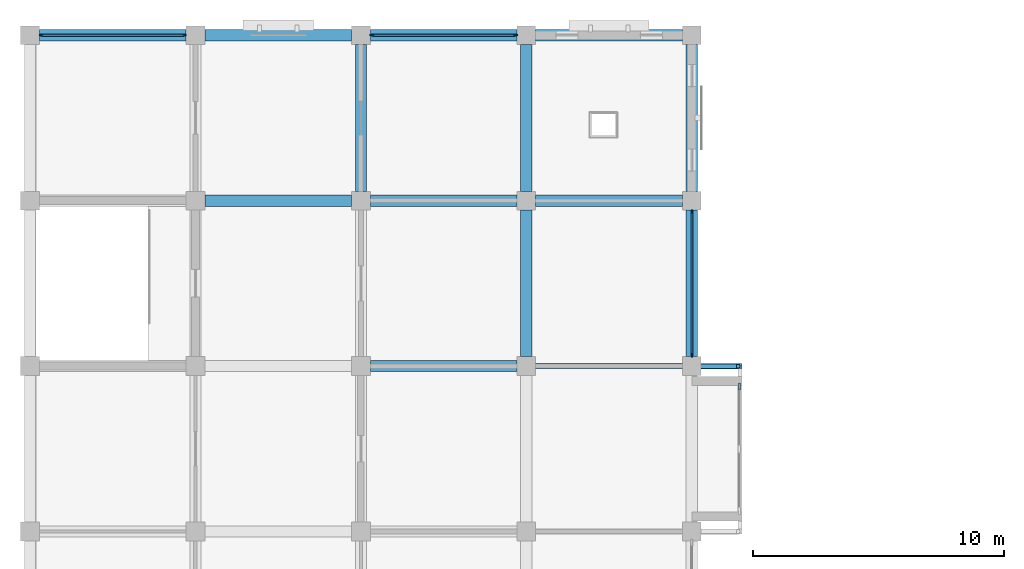
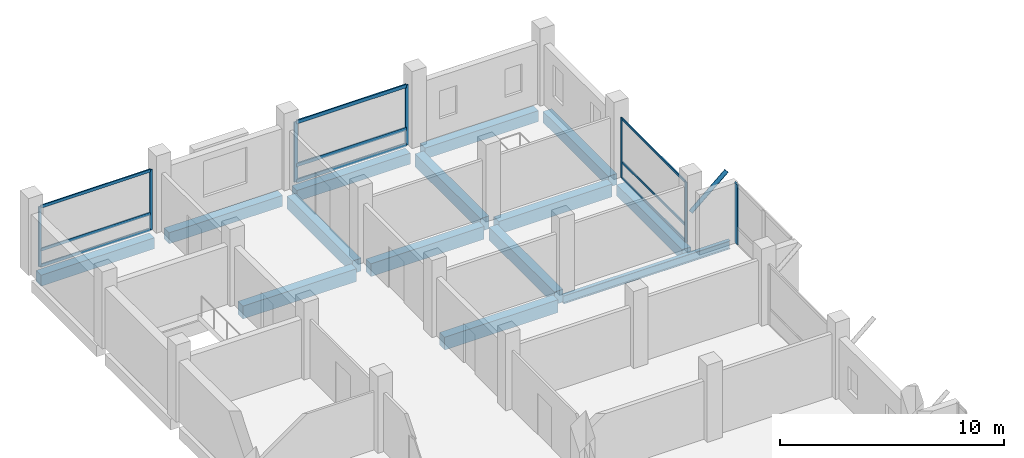
# One storey, part 5 of 14: 17 members, 14 beams, 4 elements without a shape of their own.
"""IFC4 building model written with IfcOpenShell, lengths in metres."""

from ifc_helpers import new_model, si_unit, direction, frame, origin, origin_2d, place, context, subcontext, project, spatial, rectangle, hollow_circle, i_section, extrude, material, material_profile, profile_set, type_object, element, aggregate, save


model = new_model("IFC4")

# Units and contexts
model_context = context("Model", 3, precision=1e-05, world=origin(), true_north=direction((0.0, 1.0)))
body_context = subcontext(model_context, "Body", "Model", "MODEL_VIEW")
ifc_project = project(units=[si_unit("LENGTHUNIT", "METRE"), si_unit("AREAUNIT", "SQUARE_METRE"), si_unit("VOLUMEUNIT", "CUBIC_METRE"), si_unit("PLANEANGLEUNIT", "RADIAN"), si_unit("MASSUNIT", "GRAM", prefix="KILO")], contexts=[model_context])

# Site, building, storey
site_placement = place(None, origin())
site = spatial("IfcSite", under=ifc_project, at=site_placement, CompositionType="ELEMENT")
building_placement = place(site_placement, origin())
building = spatial("IfcBuilding", under=site, at=building_placement, Name="Rusizi Kubbe Research Institute", CompositionType="ELEMENT")
storey_placement = place(building_placement, frame((0.0, 0.0, 31.199951171875)))
storey = spatial("IfcBuildingStorey", under=building, at=storey_placement, Name="L07", CompositionType="ELEMENT", Elevation=31.199951171875)

# Beams
ifc_material_1 = material(Name="Steel S355", Category="steel")
ifc_material_profile_1 = material_profile(ifc_material_1, i_section(OverallWidth=0.18994140625, OverallDepth=0.449951171875, WebThickness=0.009521484375, FlangeThickness=0.0146484375, at=origin_2d()), Name="IPE 450")
ifc_profile_set_1 = profile_set([ifc_material_profile_1], Name="Steel S355")
beam_type_1 = type_object("IfcBeamType", Name="BM-IPE450", PredefinedType="BEAM", material=ifc_profile_set_1)
beam_1_placement = place(storey_placement, frame((19.800048828125, 66.0, -0.554931640625), z_axis=(1.0, 0.0, 0.0), x_axis=(0.0, 1.0, 0.0)))
element("IfcBeam", 1, at=beam_1_placement, inside=storey, type_object=beam_type_1, Name="Cumba Back-Spanned Cantilever Beam L07-2N", PredefinedType="BEAM", context=body_context, shape_type="SweptSolid", body=[
    extrude(i_section(OverallWidth=0.18994140625, OverallDepth=0.449951171875, WebThickness=0.009521484375, FlangeThickness=0.0146484375, at=origin_2d()), origin(), (0.0, 0.0, 1.0), 8.599853515625),
])
ifc_material_2 = material(Name="Concrete C40/50", Category="concrete")
ifc_material_profile_2 = material_profile(ifc_material_2, rectangle(XDim=0.449951171875, YDim=0.60009765625, at=origin_2d()), Name="RC450x600")
ifc_profile_set_2 = profile_set([ifc_material_profile_2], Name="Concrete C40/50")
beam_type_2 = type_object("IfcBeamType", Name="BM-RC450x600", PredefinedType="SPANDREL", material=ifc_profile_set_2)
beam_2_placement = place(storey_placement, frame((0.375, 79.199951171875, -0.6298828125), z_axis=(1.0, 0.0, 0.0), x_axis=(0.0, 1.0, 0.0)))
element("IfcBeam", 2, at=beam_2_placement, inside=storey, type_object=beam_type_2, Name="Grid Beam H L07 (0,12)", PredefinedType="SPANDREL", context=body_context, shape_type="SweptSolid", body=[
    extrude(rectangle(XDim=0.449951171875, YDim=0.60009765625, at=origin_2d()), origin(), (0.0, 0.0, 1.0), 5.85009765625),
])
beam_3_placement = place(storey_placement, frame((6.97509765625, 79.199951171875, -0.6298828125), z_axis=(1.0, 0.0, 0.0), x_axis=(0.0, 1.0, 0.0)))
element("IfcBeam", 3, at=beam_3_placement, inside=storey, type_object=beam_type_2, Name="Grid Beam H L07 (1,12)", PredefinedType="SPANDREL", context=body_context, shape_type="SweptSolid", body=[
    extrude(rectangle(XDim=0.449951171875, YDim=0.60009765625, at=origin_2d()), origin(), (0.0, 0.0, 1.0), 5.849853515625),
])
beam_4_placement = place(storey_placement, frame((13.574951171875, 79.199951171875, -0.6298828125), z_axis=(1.0, 0.0, 0.0), x_axis=(0.0, 1.0, 0.0)))
element("IfcBeam", 4, at=beam_4_placement, inside=storey, type_object=beam_type_2, Name="Grid Beam H L07 (2,12)", PredefinedType="SPANDREL", context=body_context, shape_type="SweptSolid", body=[
    extrude(rectangle(XDim=0.449951171875, YDim=0.60009765625, at=origin_2d()), origin(), (0.0, 0.0, 1.0), 5.85009765625),
])
beam_5_placement = place(storey_placement, frame((20.175048828125, 79.199951171875, -0.6298828125), z_axis=(1.0, 0.0, 0.0), x_axis=(0.0, 1.0, 0.0)))
element("IfcBeam", 5, at=beam_5_placement, inside=storey, type_object=beam_type_2, Name="Grid Beam H L07 (3,12)", PredefinedType="SPANDREL", context=body_context, shape_type="SweptSolid", body=[
    extrude(rectangle(XDim=0.449951171875, YDim=0.60009765625, at=origin_2d()), origin(), (0.0, 0.0, 1.0), 5.849853515625),
])
beam_6_placement = place(storey_placement, frame((26.39990234375, 66.375, -0.6298828125), z_axis=(0.0, 1.0, 0.0), x_axis=(-1.0, 0.0, 0.0)))
element("IfcBeam", 6, at=beam_6_placement, inside=storey, type_object=beam_type_2, Name="Grid Beam V L07 (4,10)", PredefinedType="SPANDREL", context=body_context, shape_type="SweptSolid", body=[
    extrude(rectangle(XDim=0.449951171875, YDim=0.60009765625, at=origin_2d()), origin(), (0.0, 0.0, 1.0), 5.85009765625),
])
beam_7_placement = place(storey_placement, frame((26.39990234375, 72.97509765625, -0.6298828125), z_axis=(0.0, 1.0, 0.0), x_axis=(-1.0, 0.0, 0.0)))
element("IfcBeam", 7, at=beam_7_placement, inside=storey, type_object=beam_type_2, Name="Grid Beam V L07 (4,11)", PredefinedType="SPANDREL", context=body_context, shape_type="SweptSolid", body=[
    extrude(rectangle(XDim=0.449951171875, YDim=0.60009765625, at=origin_2d()), origin(), (0.0, 0.0, 1.0), 5.849853515625),
])
ifc_material_3 = material(Name="Concrete C40/50", Category="concrete")
ifc_material_profile_3 = material_profile(ifc_material_3, rectangle(XDim=0.449951171875, YDim=0.699951171875, at=origin_2d()), Name="RC450x700B")
ifc_profile_set_3 = profile_set([ifc_material_profile_3], Name="Concrete C40/50")
beam_type_3 = type_object("IfcBeamType", Name="BM-RC450x700", PredefinedType="BEAM", material=ifc_profile_set_3)
beam_8_placement = place(storey_placement, frame((6.97509765625, 72.60009765625, -0.679931640625), z_axis=(1.0, 0.0, 0.0), x_axis=(0.0, 1.0, 0.0)))
element("IfcBeam", 8, at=beam_8_placement, inside=storey, type_object=beam_type_3, Name="Grid Beam H L07 (1,11)", PredefinedType="BEAM", context=body_context, shape_type="SweptSolid", body=[
    extrude(rectangle(XDim=0.449951171875, YDim=0.699951171875, at=origin_2d()), origin(), (0.0, 0.0, 1.0), 5.849853515625),
])
for number, where, z_axis, x_axis, name in (
    (9, (13.574951171875, 66.0, -0.679931640625), (1.0, 0.0, 0.0), (0.0, 1.0, 0.0), "Grid Beam H L07 (2,10)"),
    (10, (13.574951171875, 72.60009765625, -0.679931640625), (1.0, 0.0, 0.0), (0.0, 1.0, 0.0), "Grid Beam H L07 (2,11)"),
):
    element("IfcBeam", number, at=place(storey_placement, frame(where, z_axis=z_axis, x_axis=x_axis)), inside=storey, type_object=beam_type_3, Name=name, PredefinedType="BEAM", context=body_context, shape_type="SweptSolid", body=[
        extrude(rectangle(XDim=0.449951171875, YDim=0.699951171875, at=origin_2d()), origin(), (0.0, 0.0, 1.0), 5.85009765625),
    ])
for number, where, z_axis, x_axis, name in (
    (11, (20.175048828125, 72.60009765625, -0.679931640625), (1.0, 0.0, 0.0), (0.0, 1.0, 0.0), "Grid Beam H L07 (3,11)"),
    (12, (13.199951171875, 72.97509765625, -0.679931640625), (0.0, 1.0, 0.0), (-1.0, 0.0, 0.0), "Grid Beam V L07 (2,11)"),
):
    element("IfcBeam", number, at=place(storey_placement, frame(where, z_axis=z_axis, x_axis=x_axis)), inside=storey, type_object=beam_type_3, Name=name, PredefinedType="BEAM", context=body_context, shape_type="SweptSolid", body=[
        extrude(rectangle(XDim=0.449951171875, YDim=0.699951171875, at=origin_2d()), origin(), (0.0, 0.0, 1.0), 5.849853515625),
    ])
beam_9_placement = place(storey_placement, frame((19.800048828125, 66.375, -0.679931640625), z_axis=(0.0, 1.0, 0.0), x_axis=(-1.0, 0.0, 0.0)))
element("IfcBeam", 13, at=beam_9_placement, inside=storey, type_object=beam_type_3, Name="Grid Beam V L07 (3,10)", PredefinedType="BEAM", context=body_context, shape_type="SweptSolid", body=[
    extrude(rectangle(XDim=0.449951171875, YDim=0.699951171875, at=origin_2d()), origin(), (0.0, 0.0, 1.0), 5.85009765625),
])
beam_10_placement = place(storey_placement, frame((19.800048828125, 72.97509765625, -0.679931640625), z_axis=(0.0, 1.0, 0.0), x_axis=(-1.0, 0.0, 0.0)))
element("IfcBeam", 14, at=beam_10_placement, inside=storey, type_object=beam_type_3, Name="Grid Beam V L07 (3,11)", PredefinedType="BEAM", context=body_context, shape_type="SweptSolid", body=[
    extrude(rectangle(XDim=0.449951171875, YDim=0.699951171875, at=origin_2d()), origin(), (0.0, 0.0, 1.0), 5.849853515625),
])

# Member
ifc_material_4 = material(Name="Steel S355", Category="steel")
ifc_material_profile_4 = material_profile(ifc_material_4, hollow_circle(Radius=0.109619140625, WallThickness=0.008056640625, at=origin_2d()), Name="CHS 219.1x8.0")
ifc_profile_set_4 = profile_set([ifc_material_profile_4], Name="Steel S355")
member_type_1 = type_object("IfcMemberType", Name="MB-CHS219", PredefinedType="BRACE", material=ifc_profile_set_4)
member_1_placement = place(storey_placement, frame((26.39990234375, 66.0, 1.880126953125), z_axis=(0.756409887843, 0.0, 0.654097914362), x_axis=(0.0, 1.0, 0.0)))
element("IfcMember", 15, at=member_1_placement, inside=storey, type_object=member_type_1, Name="Cumba Diagonal Corbel Brace L08-5N", PredefinedType="BRACE", context=body_context, shape_type="SweptSolid", body=[
    extrude(hollow_circle(Radius=0.109619140625, WallThickness=0.008056640625, at=origin_2d()), origin(), (0.0, 0.0, 1.0), 2.44580078125),
])

# Curtain wall, members
ifc_material_5 = material(Name="Thermally Broken Aluminium and Low-E Glazing", Category="aluminium")
curtain_wall_type_1 = type_object("IfcCurtainWallType", Name="CW-10", PredefinedType="NOTDEFINED", material=ifc_material_5)
curtain_wall_1_placement = place(storey_placement, origin())
curtain_wall_1 = element("IfcCurtainWall", 16, at=curtain_wall_1_placement, inside=storey, type_object=curtain_wall_type_1, Name="Unitised Facade Curtain Wall CW-L07-H-00-12", PredefinedType="NOTDEFINED")
ifc_material_6 = material(Name="Aluminium Alloy 6063-T6", Category="aluminium")
ifc_material_profile_5 = material_profile(ifc_material_6, rectangle(XDim=0.06005859375, YDim=0.14990234375, at=origin_2d()), Name="ALU-M 60x150")
ifc_profile_set_5 = profile_set([ifc_material_profile_5], Name="Aluminium Alloy 6063-T6")
member_type_2 = type_object("IfcMemberType", Name="ML-01", PredefinedType="MULLION", material=ifc_profile_set_5)
member_2_placement = place(storey_placement, frame((0.43505859375, 79.199951171875, 0.0), z_axis=(0.0, 0.0, 1.0), x_axis=(0.0, 1.0, 0.0)))
member_2 = element("IfcMember", 17, at=member_2_placement, type_object=member_type_2, Name="CW-10 mullion 1", PredefinedType="MULLION", context=body_context, shape_type="SweptSolid", body=[
    extrude(rectangle(XDim=0.06005859375, YDim=0.14990234375, at=origin_2d()), origin(), (0.0, 0.0, 1.0), 3.280029296875),
])
member_3_placement = place(storey_placement, frame((6.1650390625, 79.199951171875, 0.0), z_axis=(0.0, 0.0, 1.0), x_axis=(0.0, 1.0, 0.0)))
member_3 = element("IfcMember", 18, at=member_3_placement, type_object=member_type_2, Name="CW-10 mullion 2", PredefinedType="MULLION", context=body_context, shape_type="SweptSolid", body=[
    extrude(rectangle(XDim=0.06005859375, YDim=0.14990234375, at=origin_2d()), origin(), (0.0, 0.0, 1.0), 3.280029296875),
])

curtain_wall_2_placement = place(storey_placement, origin())
curtain_wall_2 = element("IfcCurtainWall", 19, at=curtain_wall_2_placement, inside=storey, type_object=curtain_wall_type_1, Name="Unitised Facade Curtain Wall CW-L07-V-04-10", PredefinedType="NOTDEFINED")
member_4_placement = place(storey_placement, frame((26.39990234375, 66.43505859375, 0.0), z_axis=(0.0, 0.0, 1.0), x_axis=(-1.0, 0.0, 0.0)))
member_4 = element("IfcMember", 20, at=member_4_placement, type_object=member_type_2, Name="CW-10 mullion 1", PredefinedType="MULLION", context=body_context, shape_type="SweptSolid", body=[
    extrude(rectangle(XDim=0.06005859375, YDim=0.14990234375, at=origin_2d()), origin(), (0.0, 0.0, 1.0), 3.280029296875),
])
member_5_placement = place(storey_placement, frame((26.39990234375, 72.1650390625, 0.0), z_axis=(0.0, 0.0, 1.0), x_axis=(-1.0, 0.0, 0.0)))
member_5 = element("IfcMember", 21, at=member_5_placement, type_object=member_type_2, Name="CW-10 mullion 2", PredefinedType="MULLION", context=body_context, shape_type="SweptSolid", body=[
    extrude(rectangle(XDim=0.06005859375, YDim=0.14990234375, at=origin_2d()), origin(), (0.0, 0.0, 1.0), 3.280029296875),
])

curtain_wall_3_placement = place(storey_placement, origin())
curtain_wall_3 = element("IfcCurtainWall", 22, at=curtain_wall_3_placement, inside=storey, type_object=curtain_wall_type_1, Name="Unitised Facade Curtain Wall CW-L07-H-02-12", PredefinedType="NOTDEFINED")
ifc_material_7 = material(Name="Aluminium Alloy 6063-T6", Category="aluminium")
ifc_material_profile_6 = material_profile(ifc_material_7, rectangle(XDim=0.06005859375, YDim=0.179931640625, at=origin_2d()), Name="ALU-M 60x180")
ifc_profile_set_6 = profile_set([ifc_material_profile_6], Name="Aluminium Alloy 6063-T6")
member_type_3 = type_object("IfcMemberType", Name="ML-02", PredefinedType="MULLION", material=ifc_profile_set_6)
member_6_placement = place(storey_placement, frame((13.635009765625, 79.199951171875, 0.0), z_axis=(0.0, 0.0, 1.0), x_axis=(0.0, 1.0, 0.0)))
member_6 = element("IfcMember", 23, at=member_6_placement, type_object=member_type_3, Name="CW-10 mullion 1", PredefinedType="MULLION", context=body_context, shape_type="SweptSolid", body=[
    extrude(rectangle(XDim=0.06005859375, YDim=0.179931640625, at=origin_2d()), origin(), (0.0, 0.0, 1.0), 3.280029296875),
])
member_7_placement = place(storey_placement, frame((19.364990234375, 79.199951171875, 0.0), z_axis=(0.0, 0.0, 1.0), x_axis=(0.0, 1.0, 0.0)))
member_7 = element("IfcMember", 24, at=member_7_placement, type_object=member_type_3, Name="CW-10 mullion 2", PredefinedType="MULLION", context=body_context, shape_type="SweptSolid", body=[
    extrude(rectangle(XDim=0.06005859375, YDim=0.179931640625, at=origin_2d()), origin(), (0.0, 0.0, 1.0), 3.280029296875),
])

# Curtain wall, member
ifc_material_8 = material(Name="Thermally Broken Aluminium and Low-E Glazing", Category="aluminium")
curtain_wall_type_2 = type_object("IfcCurtainWallType", Name="CW-03", PredefinedType="NOTDEFINED", material=ifc_material_8)
curtain_wall_4_placement = place(storey_placement, origin())
curtain_wall_4 = element("IfcCurtainWall", 25, at=curtain_wall_4_placement, inside=storey, type_object=curtain_wall_type_2, Name="Cumba Glazed Curtain Wall CW-CUMBA-L07-083", PredefinedType="NOTDEFINED")
ifc_material_9 = material(Name="Aluminium Alloy 6063-T6", Category="aluminium")
ifc_material_profile_7 = material_profile(ifc_material_9, rectangle(XDim=0.080078125, YDim=0.280029296875, at=origin_2d()), Name="ALU-M 80x280")
ifc_profile_set_7 = profile_set([ifc_material_profile_7], Name="Aluminium Alloy 6063-T6")
member_type_4 = type_object("IfcMemberType", Name="ML-06", PredefinedType="MULLION", material=ifc_profile_set_7)
member_8_placement = place(storey_placement, frame((28.300048828125, 65.177490234375, 0.0), z_axis=(0.0, 0.0, 1.0), x_axis=(-1.0, 0.0, 0.0)))
member_8 = element("IfcMember", 26, at=member_8_placement, type_object=member_type_4, Name="CW-03 mullion 3", PredefinedType="MULLION", context=body_context, shape_type="SweptSolid", body=[
    extrude(rectangle(XDim=0.080078125, YDim=0.280029296875, at=origin_2d()), origin(), (0.0, 0.0, 1.0), 3.280029296875),
])
aggregate(curtain_wall_4, [member_8])

# Member
ifc_material_10 = material(Name="Aluminium Alloy 6063-T6", Category="aluminium")
ifc_material_profile_8 = material_profile(ifc_material_10, rectangle(XDim=0.06005859375, YDim=0.1201171875, at=origin_2d()), Name="ALU-T 60x120")
ifc_profile_set_8 = profile_set([ifc_material_profile_8], Name="Aluminium Alloy 6063-T6")
member_type_5 = type_object("IfcMemberType", Name="TR-01", PredefinedType="USERDEFINED", material=ifc_profile_set_8)
member_9_placement = place(storey_placement, frame((26.39990234375, 66.465087890625, 0.030029296875), z_axis=(0.0, 1.0, 0.0), x_axis=(-1.0, 0.0, 0.0)))
member_9 = element("IfcMember", 27, at=member_9_placement, type_object=member_type_5, Name="CW-10 transom 1.1", ObjectType="TRANSOM", PredefinedType="USERDEFINED", context=body_context, shape_type="SweptSolid", body=[
    extrude(rectangle(XDim=0.06005859375, YDim=0.1201171875, at=origin_2d()), origin(), (0.0, 0.0, 1.0), 5.669921875),
])

member_10_placement = place(storey_placement, frame((26.39990234375, 66.465087890625, 0.900146484375), z_axis=(0.0, 1.0, 0.0), x_axis=(-1.0, 0.0, 0.0)))
member_10 = element("IfcMember", 28, at=member_10_placement, type_object=member_type_5, Name="CW-10 transom 1.2", ObjectType="TRANSOM", PredefinedType="USERDEFINED", context=body_context, shape_type="SweptSolid", body=[
    extrude(rectangle(XDim=0.06005859375, YDim=0.1201171875, at=origin_2d()), origin(), (0.0, 0.0, 1.0), 5.669921875),
])

member_11_placement = place(storey_placement, frame((26.39990234375, 66.465087890625, 3.25), z_axis=(0.0, 1.0, 0.0), x_axis=(-1.0, 0.0, 0.0)))
member_11 = element("IfcMember", 29, at=member_11_placement, type_object=member_type_5, Name="CW-10 transom 1.3", ObjectType="TRANSOM", PredefinedType="USERDEFINED", context=body_context, shape_type="SweptSolid", body=[
    extrude(rectangle(XDim=0.06005859375, YDim=0.1201171875, at=origin_2d()), origin(), (0.0, 0.0, 1.0), 5.669921875),
])

aggregate(curtain_wall_2, [member_4, member_5, member_9, member_10, member_11])

ifc_material_11 = material(Name="Aluminium Alloy 6063-T6", Category="aluminium")
ifc_material_profile_9 = material_profile(ifc_material_11, rectangle(XDim=0.06494140625, YDim=0.159912109375, at=origin_2d()), Name="ALU-T 65x160")
ifc_profile_set_9 = profile_set([ifc_material_profile_9], Name="Aluminium Alloy 6063-T6")
member_type_6 = type_object("IfcMemberType", Name="TR-03", PredefinedType="USERDEFINED", material=ifc_profile_set_9)
member_12_placement = place(storey_placement, frame((0.465087890625, 79.199951171875, 0.032470703125), z_axis=(1.0, 0.0, 0.0), x_axis=(0.0, 1.0, 0.0)))
member_12 = element("IfcMember", 30, at=member_12_placement, type_object=member_type_6, Name="CW-10 transom 1.1", ObjectType="TRANSOM", PredefinedType="USERDEFINED", context=body_context, shape_type="SweptSolid", body=[
    extrude(rectangle(XDim=0.06494140625, YDim=0.159912109375, at=origin_2d()), origin(), (0.0, 0.0, 1.0), 5.669921875),
])

member_13_placement = place(storey_placement, frame((0.465087890625, 79.199951171875, 0.900146484375), z_axis=(1.0, 0.0, 0.0), x_axis=(0.0, 1.0, 0.0)))
member_13 = element("IfcMember", 31, at=member_13_placement, type_object=member_type_6, Name="CW-10 transom 1.2", ObjectType="TRANSOM", PredefinedType="USERDEFINED", context=body_context, shape_type="SweptSolid", body=[
    extrude(rectangle(XDim=0.06494140625, YDim=0.159912109375, at=origin_2d()), origin(), (0.0, 0.0, 1.0), 5.669921875),
])

member_14_placement = place(storey_placement, frame((0.465087890625, 79.199951171875, 3.24755859375), z_axis=(1.0, 0.0, 0.0), x_axis=(0.0, 1.0, 0.0)))
member_14 = element("IfcMember", 32, at=member_14_placement, type_object=member_type_6, Name="CW-10 transom 1.3", ObjectType="TRANSOM", PredefinedType="USERDEFINED", context=body_context, shape_type="SweptSolid", body=[
    extrude(rectangle(XDim=0.06494140625, YDim=0.159912109375, at=origin_2d()), origin(), (0.0, 0.0, 1.0), 5.669921875),
])

aggregate(curtain_wall_1, [member_2, member_3, member_12, member_13, member_14])

ifc_material_12 = material(Name="Aluminium Alloy 6063-T6", Category="aluminium")
ifc_material_profile_10 = material_profile(ifc_material_12, rectangle(XDim=0.070068359375, YDim=0.18994140625, at=origin_2d()), Name="ALU-T 70x190")
ifc_profile_set_10 = profile_set([ifc_material_profile_10], Name="Aluminium Alloy 6063-T6")
member_type_7 = type_object("IfcMemberType", Name="TR-04", PredefinedType="USERDEFINED", material=ifc_profile_set_10)
member_15_placement = place(storey_placement, frame((13.6650390625, 79.199951171875, 0.03515625), z_axis=(1.0, 0.0, 0.0), x_axis=(0.0, 1.0, 0.0)))
member_15 = element("IfcMember", 33, at=member_15_placement, type_object=member_type_7, Name="CW-10 transom 1.1", ObjectType="TRANSOM", PredefinedType="USERDEFINED", context=body_context, shape_type="SweptSolid", body=[
    extrude(rectangle(XDim=0.070068359375, YDim=0.18994140625, at=origin_2d()), origin(), (0.0, 0.0, 1.0), 5.669921875),
])

member_16_placement = place(storey_placement, frame((13.6650390625, 79.199951171875, 0.900146484375), z_axis=(1.0, 0.0, 0.0), x_axis=(0.0, 1.0, 0.0)))
member_16 = element("IfcMember", 34, at=member_16_placement, type_object=member_type_7, Name="CW-10 transom 1.2", ObjectType="TRANSOM", PredefinedType="USERDEFINED", context=body_context, shape_type="SweptSolid", body=[
    extrude(rectangle(XDim=0.070068359375, YDim=0.18994140625, at=origin_2d()), origin(), (0.0, 0.0, 1.0), 5.669921875),
])

member_17_placement = place(storey_placement, frame((13.6650390625, 79.199951171875, 3.2451171875), z_axis=(1.0, 0.0, 0.0), x_axis=(0.0, 1.0, 0.0)))
member_17 = element("IfcMember", 35, at=member_17_placement, type_object=member_type_7, Name="CW-10 transom 1.3", ObjectType="TRANSOM", PredefinedType="USERDEFINED", context=body_context, shape_type="SweptSolid", body=[
    extrude(rectangle(XDim=0.070068359375, YDim=0.18994140625, at=origin_2d()), origin(), (0.0, 0.0, 1.0), 5.669921875),
])

aggregate(curtain_wall_3, [member_6, member_7, member_15, member_16, member_17])

save(model, "model.ifc")
